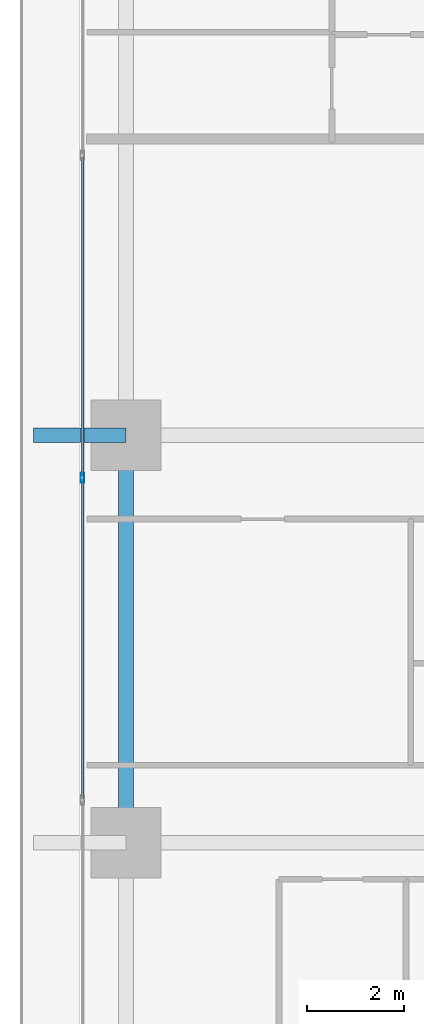
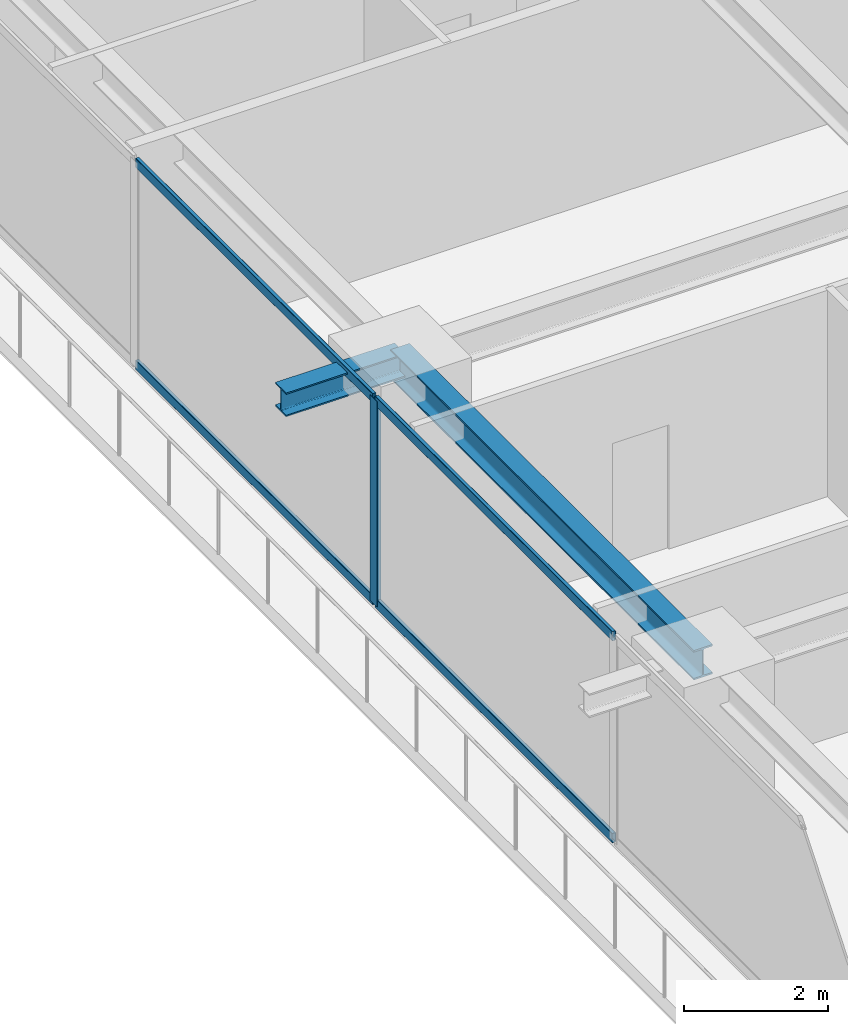
# One storey, part 8 of 38: 5 members, 2 beams, 1 element without a shape of its own.
"""IFC4 building model written with IfcOpenShell, lengths in metres."""

from ifc_helpers import new_model, si_unit, direction, frame, origin, origin_2d, place, context, subcontext, project, spatial, hollow_rectangle, i_section, extrude, source, transform, mapped, material, layer, layer_set, material_profile, profile_set, type_object, element, aggregate, save


model = new_model("IFC4")

# Units and contexts
model_context = context("Model", 3, precision=1e-05, world=origin(), true_north=direction((0.0, 1.0)))
body_context = subcontext(model_context, "Body", "Model", "MODEL_VIEW")
ifc_project = project(units=[si_unit("LENGTHUNIT", "METRE"), si_unit("AREAUNIT", "SQUARE_METRE"), si_unit("VOLUMEUNIT", "CUBIC_METRE"), si_unit("PLANEANGLEUNIT", "RADIAN"), si_unit("MASSUNIT", "GRAM", prefix="KILO")], contexts=[model_context])

# Site, building, storey
site_placement = place(None, origin())
site = spatial("IfcSite", under=ifc_project, at=site_placement, CompositionType="ELEMENT")
building_placement = place(site_placement, origin())
building = spatial("IfcBuilding", under=site, at=building_placement, Name="Serunith Strait Residences", CompositionType="ELEMENT")
storey_placement = place(building_placement, frame((0.0, 0.0, 30.449951171875)))
storey = spatial("IfcBuildingStorey", under=building, at=storey_placement, Name="L06", CompositionType="ELEMENT", Elevation=30.449951171875)

# Beams
ifc_material_1 = material(Name="Steel S355J2", Category="steel")
ifc_material_profile_1 = material_profile(ifc_material_1, i_section(OverallWidth=0.300048828125, OverallDepth=0.5, WebThickness=0.014404296875, FlangeThickness=0.028076171875, FilletRadius=0.027099609375, at=origin_2d()), Name="HEB 500")
ifc_profile_set_1 = profile_set([ifc_material_profile_1], Name="Steel S355J2")
beam_type_1 = type_object("IfcBeamType", Name="BM-HEB500", PredefinedType="BEAM", material=ifc_profile_set_1)
shared_shape_1 = source(origin(), body_context, "Body", "SweptSolid", [
    extrude(i_section(OverallWidth=0.300048828125, OverallDepth=0.5, WebThickness=0.014404296875, FlangeThickness=0.028076171875, FilletRadius=0.027099609375, at=origin_2d()), origin(), (0.0, 0.0, 1.0), 8.39990234375),
])
beam_1_placement = place(storey_placement, frame((6.89990234375, 29.39990234375, 3.237060546875), z_axis=(0.0, -1.0, 0.0), x_axis=(1.0, 0.0, 0.0)))
element("IfcBeam", 1, at=beam_1_placement, inside=storey, type_object=beam_type_1, Name="L06 Perimeter Ring Beam 14", PredefinedType="BEAM", context=body_context, shape_type="MappedRepresentation", body=[
    mapped(shared_shape_1, transform((0.0, 0.0, 0.0), scale=1.0)),
])
ifc_material_profile_2 = material_profile(ifc_material_1, i_section(OverallWidth=0.300048828125, OverallDepth=0.39990234375, WebThickness=0.013427734375, FlangeThickness=0.02392578125, FilletRadius=0.027099609375, at=origin_2d()), Name="HEB 400")
ifc_profile_set_2 = profile_set([ifc_material_profile_2], Name="Steel S355J2")
beam_type_2 = type_object("IfcBeamType", Name="BM-HEB400", PredefinedType="BEAM", material=ifc_profile_set_2)
shared_shape_2 = source(origin(), body_context, "Body", "SweptSolid", [
    extrude(i_section(OverallWidth=0.300048828125, OverallDepth=0.39990234375, WebThickness=0.013427734375, FlangeThickness=0.02392578125, FilletRadius=0.027099609375, at=origin_2d()), origin(), (0.0, 0.0, 1.0), 1.909912109375),
])
beam_2_placement = place(storey_placement, frame((6.89990234375, 29.39990234375, 3.257080078125), z_axis=(-1.0, 0.0, 0.0), x_axis=(0.0, -1.0, 0.0)))
element("IfcBeam", 2, at=beam_2_placement, inside=storey, type_object=beam_type_2, Name="L07 Cantilevered Balcony Rib TC-W3", PredefinedType="BEAM", context=body_context, shape_type="MappedRepresentation", body=[
    mapped(shared_shape_2, transform((0.0, 0.0, 0.0), scale=1.0)),
])

# Curtain wall, members
ifc_material_2 = material(Name="Pale-Champagne Anodised Aluminium", Category="aluminium")
ifc_layer = layer(ifc_material_2, 0.199951171875, Name="Pale-Champagne Anodised Aluminium")
ifc_layer_set = layer_set([ifc_layer], Name="Pale-Champagne Anodised Aluminium")
curtain_wall_type = type_object("IfcCurtainWallType", Name="CW-SYS1", PredefinedType="NOTDEFINED", material=ifc_layer_set)
curtain_wall_placement = place(storey_placement, origin())
curtain_wall = element("IfcCurtainWall", 3, at=curtain_wall_placement, inside=storey, type_object=curtain_wall_type, Name="L06 W Unitised Fritted Curtain Wall", PredefinedType="NOTDEFINED")
ifc_material_profile_3 = material_profile(ifc_material_2, hollow_rectangle(XDim=0.070068359375, YDim=0.199951171875, WallThickness=0.00390625, InnerFilletRadius=0.006103515625, OuterFilletRadius=0.010009765625, at=origin_2d()), Name="ALU 200x70x4")
ifc_profile_set_3 = profile_set([ifc_material_profile_3], Name="Pale-Champagne Anodised Aluminium")
member_type_1 = type_object("IfcMemberType", Name="CW-SYS1-MULL", PredefinedType="MULLION", material=ifc_profile_set_3)
shared_shape_3 = source(origin(), body_context, "Body", "SweptSolid", [
    extrude(hollow_rectangle(XDim=0.070068359375, YDim=0.199951171875, WallThickness=0.00390625, InnerFilletRadius=0.006103515625, OuterFilletRadius=0.010009765625, at=origin_2d()), origin(), (0.0, 0.0, 1.0), 3.47509765625),
])
member_1_placement = place(storey_placement, frame((6.0, 28.52001953125, 0.0), z_axis=(0.0, 0.0, 1.0), x_axis=(1.0, 0.0, 0.0)))
member_1 = element("IfcMember", 4, at=member_1_placement, type_object=member_type_1, Name="CW-1 mullion 3", PredefinedType="MULLION", context=body_context, shape_type="MappedRepresentation", body=[
    mapped(shared_shape_3, transform((0.0, 0.0, 0.0), scale=1.0)),
])
ifc_material_profile_4 = material_profile(ifc_material_2, hollow_rectangle(XDim=0.06005859375, YDim=0.159912109375, WallThickness=0.00341796875, InnerFilletRadius=0.00537109375, OuterFilletRadius=0.0087890625, at=origin_2d()), Name="ALU 160x60x3.5")
ifc_profile_set_4 = profile_set([ifc_material_profile_4], Name="Pale-Champagne Anodised Aluminium")
member_type_2 = type_object("IfcMemberType", Name="CW-SYS1-TRAN", PredefinedType="USERDEFINED", material=ifc_profile_set_4)
shared_shape_4 = source(origin(), body_context, "Body", "SweptSolid", [
    extrude(hollow_rectangle(XDim=0.06005859375, YDim=0.159912109375, WallThickness=0.00341796875, InnerFilletRadius=0.00537109375, OuterFilletRadius=0.0087890625, at=origin_2d()), origin(), (0.0, 0.0, 1.0), 6.570068359375),
])
member_2_placement = place(storey_placement, frame((6.0, 35.125, 0.030029296875), z_axis=(0.0, -1.0, 0.0), x_axis=(1.0, 0.0, 0.0)))
member_2 = element("IfcMember", 5, at=member_2_placement, type_object=member_type_2, Name="CW-1 transom 2.1", ObjectType="TRANSOM", PredefinedType="USERDEFINED", context=body_context, shape_type="MappedRepresentation", body=[
    mapped(shared_shape_4, transform((0.0, 0.0, 0.0), scale=1.0)),
])
member_3_placement = place(storey_placement, frame((6.0, 35.125, 3.445068359375), z_axis=(0.0, -1.0, 0.0), x_axis=(1.0, 0.0, 0.0)))
member_3 = element("IfcMember", 6, at=member_3_placement, type_object=member_type_2, Name="CW-1 transom 2.2", ObjectType="TRANSOM", PredefinedType="USERDEFINED", context=body_context, shape_type="MappedRepresentation", body=[
    mapped(shared_shape_4, transform((0.0, 0.0, 0.0), scale=1.0)),
])
member_4_placement = place(storey_placement, frame((6.0, 28.485107421875, 0.030029296875), z_axis=(0.0, -1.0, 0.0), x_axis=(1.0, 0.0, 0.0)))
member_4 = element("IfcMember", 7, at=member_4_placement, type_object=member_type_2, Name="CW-1 transom 3.1", ObjectType="TRANSOM", PredefinedType="USERDEFINED", context=body_context, shape_type="MappedRepresentation", body=[
    mapped(shared_shape_4, transform((0.0, 0.0, 0.0), scale=1.0)),
])
member_5_placement = place(storey_placement, frame((6.0, 28.485107421875, 3.445068359375), z_axis=(0.0, -1.0, 0.0), x_axis=(1.0, 0.0, 0.0)))
member_5 = element("IfcMember", 8, at=member_5_placement, type_object=member_type_2, Name="CW-1 transom 3.2", ObjectType="TRANSOM", PredefinedType="USERDEFINED", context=body_context, shape_type="MappedRepresentation", body=[
    mapped(shared_shape_4, transform((0.0, 0.0, 0.0), scale=1.0)),
])
aggregate(curtain_wall, [member_1, member_2, member_3, member_4, member_5])

save(model, "model.ifc")
